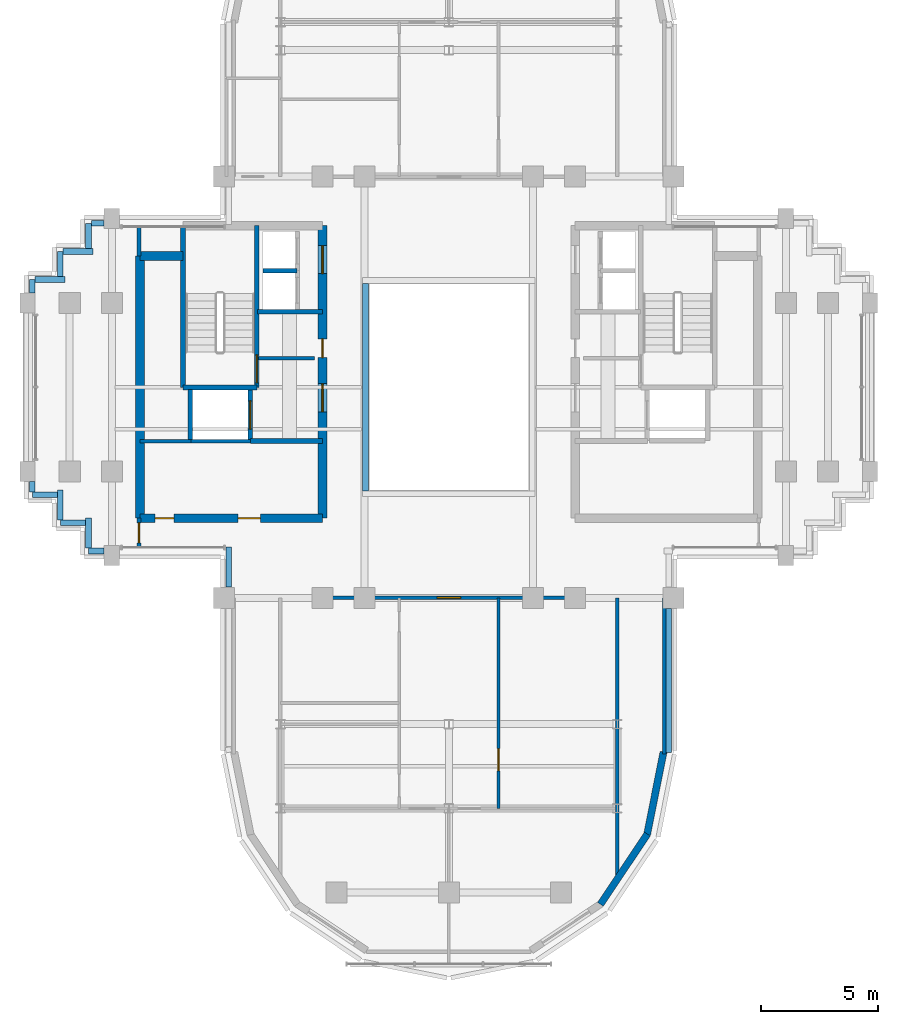
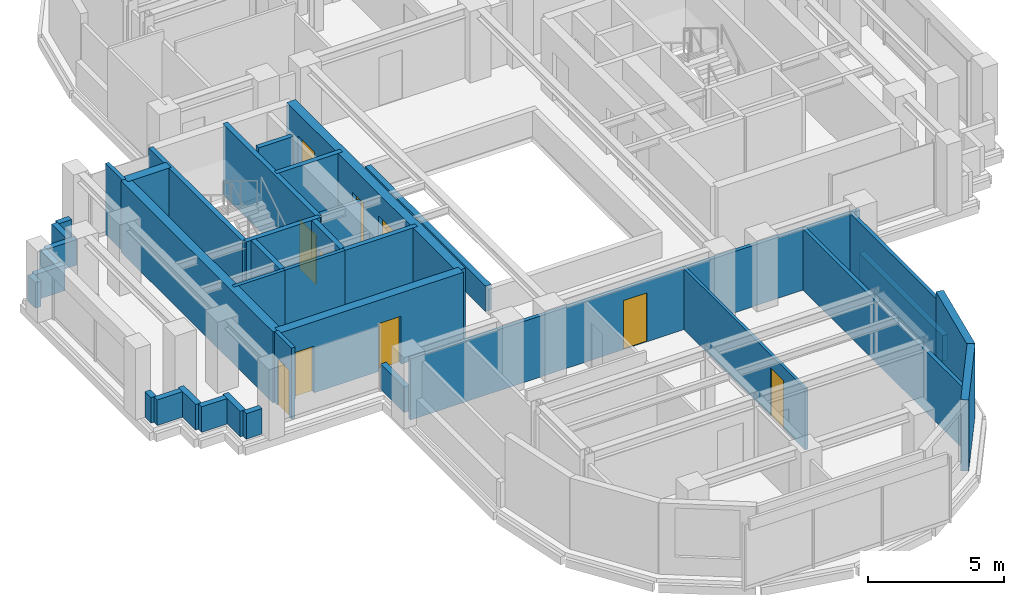
# One storey, part 6 of 11: 38 walls, 10 doors, 10 openings.
"""IFC4 building model written with IfcOpenShell, lengths in metres."""

from ifc_helpers import new_model, si_unit, direction, frame, frame_2d, origin, place, context, subcontext, project, spatial, rectangle, extrude, source, transform, mapped, material, layer, layer_set, type_object, element, fill, save


model = new_model("IFC4")

# Units and contexts
model_context = context("Model", 3, precision=1e-05, world=origin(), true_north=direction((0.0, 1.0)))
body_context = subcontext(model_context, "Body", "Model", "MODEL_VIEW")
ifc_project = project(units=[si_unit("LENGTHUNIT", "METRE"), si_unit("AREAUNIT", "SQUARE_METRE"), si_unit("VOLUMEUNIT", "CUBIC_METRE"), si_unit("PLANEANGLEUNIT", "RADIAN"), si_unit("MASSUNIT", "GRAM", prefix="KILO")], contexts=[model_context])

# Site, building, storey
site_placement = place(None, origin())
site = spatial("IfcSite", under=ifc_project, at=site_placement, CompositionType="ELEMENT")
building_placement = place(site_placement, origin())
building = spatial("IfcBuilding", under=site, at=building_placement, Name="Keilestroom Media Tower", CompositionType="ELEMENT")
storey_placement = place(building_placement, frame((0.0, 0.0, 208.0)))
storey = spatial("IfcBuildingStorey", under=building, at=storey_placement, Name="L57", CompositionType="ELEMENT", Elevation=208.0)

# Walls
ifc_material_1 = material(Name="Precast concrete C40/50", Category="concrete")
ifc_layer_1 = layer(ifc_material_1, 0.300048828125)
ifc_layer_set_1 = layer_set([ifc_layer_1], Name="Precast concrete C40/50")
wall_type_1 = type_object("IfcWallType", Name="Exterior-Masonry-Spandrel-Wall-300", PredefinedType="SOLIDWALL", material=ifc_layer_set_1)
for number, where, z_axis, x_axis, name in (
    (1, (6.47705078125, -22.097900390625, 0.0), (0.0, 0.0, 1.0), (0.555574187116, 0.831466970246, 0.0), "L57 Lobe Facet Precast Frame Wall 11"),
    (2, (8.470703125, -19.12451171875, 0.0), (0.0, 0.0, 1.0), (0.195114232679, 0.980780523974, 0.0), "L57 Lobe Facet Precast Frame Wall 12"),
):
    element("IfcWall", number, at=place(storey_placement, frame(where, z_axis=z_axis, x_axis=x_axis)), inside=storey, type_object=wall_type_1, Name=name, PredefinedType="SOLIDWALL", context=body_context, shape_type="SweptSolid", body=[
        extrude(rectangle(XDim=3.608642578125, YDim=0.300048828125, at=frame_2d((1.80419921875, 0.0))), origin(), (0.0, 0.0, 1.0), 3.199951171875),
    ])

# Wall, opening, door
ifc_material_2 = material(Name="Gypsum Plasterboard & Steel Stud", Category="steel")
ifc_layer_2 = layer(ifc_material_2, 0.1201171875)
ifc_layer_set_2 = layer_set([ifc_layer_2], Name="Gypsum Plasterboard & Steel Stud")
wall_type_2 = type_object("IfcWallType", Name="Interior-Partition-Wall-120", PredefinedType="PARTITIONING", material=ifc_layer_set_2)
wall_1_placement = place(storey_placement, frame((2.1201171875, -18.0, 0.0), z_axis=(0.0, 0.0, 1.0), x_axis=(0.0, 1.0, 0.0)))
wall_1 = element("IfcWall", 3, at=wall_1_placement, inside=storey, type_object=wall_type_2, Name="L57 Interior Wall WP-L57-FW-S-HE", PredefinedType="PARTITIONING", context=body_context, shape_type="SweptSolid", body=[
    extrude(rectangle(XDim=9.0, YDim=0.1201171875, at=frame_2d((4.5, 0.0))), origin(), (0.0, 0.0, 1.0), 2.75),
])
opening_1_placement = place(wall_1_placement, frame((1.60009765625, 0.0, 0.0)))
opening_1 = element("IfcOpeningElement", 4, at=opening_1_placement, cuts=wall_1, Name="Opening DI-03", PredefinedType="OPENING", context=body_context, shape_type="SweptSolid", body=[
    extrude(rectangle(XDim=0.949951171875, YDim=2.14990234375, at=frame_2d((0.47509765625, 1.074951171875))), frame((0.0, 0.070068359375, 0.0), z_axis=(0.0, -1.0, 0.0), x_axis=(1.0, 0.0, 0.0)), (0.0, 0.0, 1.0), 0.14013671875),
])
ifc_material_3 = material(Name="Lacquered European Oak Leaf", Category="wood")
door_type_1 = type_object("IfcDoorType", Name="Interior-Room-And-Suite-Door-DI-03", OperationType="NOTDEFINED", PredefinedType="DOOR", material=ifc_material_3)
shared_shape_1 = source(origin(), body_context, "Body", "SweptSolid", [
    extrude(rectangle(XDim=0.949951171875, YDim=2.14990234375, at=frame_2d((0.47509765625, 1.074951171875))), frame((0.0, 0.02490234375, 0.0), z_axis=(0.0, -1.0, 0.0), x_axis=(1.0, 0.0, 0.0)), (0.0, 0.0, 1.0), 0.050048828125),
])
door_1_placement = place(opening_1_placement, origin())
door_1 = element("IfcDoor", 5, at=door_1_placement, inside=storey, type_object=door_type_1, Name="L57 Interior Door DI-L57-DFKIT-S", OperationType="SINGLE_SWING_RIGHT", OverallHeight=2.14990234375, OverallWidth=0.949951171875, PredefinedType="DOOR", context=body_context, shape_type="MappedRepresentation", body=[
    mapped(shared_shape_1, transform((0.0, 0.0, 0.0), x_axis=(1.0, 0.0, 0.0), y_axis=(0.0, 1.0, 0.0), z_axis=(0.0, 0.0, 1.0), scale=1.0)),
])
fill(opening_1, door_1)

# Walls
ifc_layer_3 = layer(ifc_material_2, 0.14990234375)
ifc_layer_set_3 = layer_set([ifc_layer_3], Name="Gypsum Plasterboard & Steel Stud")
wall_type_3 = type_object("IfcWallType", Name="Interior-Partition-Wall-150", PredefinedType="PARTITIONING", material=ifc_layer_set_3)
wall_2_placement = place(storey_placement, frame((-8.139892578125, 1.239990234375, 0.0), z_axis=(0.0, 0.0, 1.0), x_axis=(1.0, 0.0, 0.0)))
element("IfcWall", 6, at=wall_2_placement, inside=storey, type_object=wall_type_3, Name="L57 Interior Wall WP-L57-FFW-TOP", PredefinedType="PARTITIONING", context=body_context, shape_type="SweptSolid", body=[
    extrude(rectangle(XDim=2.389892578125, YDim=0.14990234375, at=frame_2d((1.19482421875, 0.0))), origin(), (0.0, 0.0, 1.0), 2.300048828125),
])
wall_3_placement = place(storey_placement, frame((-13.199951171875, -2.320068359375, 0.0), z_axis=(0.0, 0.0, 1.0), x_axis=(1.0, 0.0, 0.0)))
element("IfcWall", 7, at=wall_3_placement, inside=storey, type_object=wall_type_3, Name="L57 Interior Wall WP-L57-RECLW-N", PredefinedType="PARTITIONING", context=body_context, shape_type="SweptSolid", body=[
    extrude(rectangle(XDim=2.179931640625, YDim=0.14990234375, at=frame_2d((1.08984375, 0.0))), origin(), (0.0, 0.0, 1.0), 3.199951171875),
])
wall_4_placement = place(storey_placement, frame((-11.0400390625, -2.320068359375, 0.0), z_axis=(0.0, 0.0, 1.0), x_axis=(1.0, 0.0, 0.0)))
element("IfcWall", 8, at=wall_4_placement, inside=storey, type_object=wall_type_3, Name="L57 Interior Wall WP-L57-RECMW-N", PredefinedType="PARTITIONING", context=body_context, shape_type="SweptSolid", body=[
    extrude(rectangle(XDim=2.56005859375, YDim=0.14990234375, at=frame_2d((1.280029296875, 0.0))), origin(), (0.0, 0.0, 1.0), 3.199951171875),
])

# Wall, opening, door
wall_5_placement = place(storey_placement, frame((-9.550048828125, -9.0, 0.0), z_axis=(0.0, 0.0, 1.0), x_axis=(1.0, 0.0, 0.0)))
wall_5 = element("IfcWall", 9, at=wall_5_placement, inside=storey, type_object=wall_type_3, Name="L57 Interior Wall WP-L57-FLT-S-ENTRY", PredefinedType="PARTITIONING", context=body_context, shape_type="SweptSolid", body=[
    extrude(rectangle(XDim=19.10009765625, YDim=0.14990234375, at=frame_2d((9.550048828125, 0.0))), origin(), (0.0, 0.0, 1.0), 2.75),
])
opening_2_placement = place(wall_5_placement, frame((9.050048828125, 0.0, 0.0)))
opening_2 = element("IfcOpeningElement", 10, at=opening_2_placement, cuts=wall_5, Name="Opening DI-01", PredefinedType="OPENING", context=body_context, shape_type="SweptSolid", body=[
    extrude(rectangle(XDim=1.0, YDim=2.199951171875, at=frame_2d((0.5, 1.10009765625))), frame((0.0, 0.0849609375, 0.0), z_axis=(0.0, -1.0, 0.0), x_axis=(1.0, 0.0, 0.0)), (0.0, 0.0, 1.0), 0.169921875),
])
ifc_material_4 = material(Name="Solid-Core Timber Acoustic Fire Leaf", Category="wood")
door_type_2 = type_object("IfcDoorType", Name="Interior-Apartment-Entrance-Door-DI-01", OperationType="NOTDEFINED", PredefinedType="DOOR", material=ifc_material_4)
shared_shape_2 = source(origin(), body_context, "Body", "SweptSolid", [
    extrude(rectangle(XDim=1.0, YDim=2.199951171875, at=frame_2d((0.5, 1.10009765625))), frame((0.0, 0.02490234375, 0.0), z_axis=(0.0, -1.0, 0.0), x_axis=(1.0, 0.0, 0.0)), (0.0, 0.0, 1.0), 0.050048828125),
])
door_2_placement = place(opening_2_placement, origin())
door_2 = element("IfcDoor", 11, at=door_2_placement, inside=storey, type_object=door_type_2, Name="L57 Interior Door DI-L57-DFENT-S", OperationType="SINGLE_SWING_LEFT", OverallHeight=2.199951171875, OverallWidth=1.0, PredefinedType="DOOR", context=body_context, shape_type="MappedRepresentation", body=[
    mapped(shared_shape_2, transform((0.0, 0.0, 0.0), x_axis=(1.0, 0.0, 0.0), y_axis=(0.0, 1.0, 0.0), z_axis=(0.0, 0.0, 1.0), scale=1.0)),
])
fill(opening_2, door_2)

# Walls
wall_6_placement = place(storey_placement, frame((9.199951171875, -15.679931640625, 0.0), z_axis=(0.0, 0.0, 1.0), x_axis=(0.0, 1.0, 0.0)))
element("IfcWall", 12, at=wall_6_placement, inside=storey, type_object=wall_type_3, Name="L57 Interior Wall WP-L57-SL-CHKE", PredefinedType="PARTITIONING", context=body_context, shape_type="SweptSolid", body=[
    extrude(rectangle(XDim=6.679931640625, YDim=0.14990234375, at=frame_2d((3.33984375, 0.0))), origin(), (0.0, 0.0, 1.0), 2.75),
])
wall_7_placement = place(storey_placement, frame((7.199951171875, -21.02001953125, 0.0), z_axis=(0.0, 0.0, 1.0), x_axis=(0.0, 1.0, 0.0)))
element("IfcWall", 13, at=wall_7_placement, inside=storey, type_object=wall_type_3, Name="L57 Interior Wall WP-L57-FW-S-VR", PredefinedType="PARTITIONING", context=body_context, shape_type="SweptSolid", body=[
    extrude(rectangle(XDim=12.02001953125, YDim=0.14990234375, at=frame_2d((6.010009765625, 0.0))), origin(), (0.0, 0.0, 1.0), 2.75),
])
wall_8_placement = place(storey_placement, frame((-13.239990234375, 5.60009765625, 0.0), z_axis=(0.0, 0.0, 1.0), x_axis=(0.0, 1.0, 0.0)))
element("IfcWall", 14, at=wall_8_placement, inside=storey, type_object=wall_type_3, Name="L57 Interior Wall WP-L57-RLIB-ENTN", PredefinedType="PARTITIONING", context=body_context, shape_type="SweptSolid", body=[
    extrude(rectangle(XDim=1.25, YDim=0.14990234375, at=frame_2d((0.625, 0.0))), origin(), (0.0, 0.0, 1.0), 3.199951171875),
])

# Wall, opening, door
wall_9_placement = place(storey_placement, frame((-13.239990234375, -6.85009765625, 0.0), z_axis=(0.0, 0.0, 1.0), x_axis=(0.0, 1.0, 0.0)))
wall_9 = element("IfcWall", 15, at=wall_9_placement, inside=storey, type_object=wall_type_3, Name="L57 Interior Wall WP-L57-RLIB-ENTS", PredefinedType="PARTITIONING", context=body_context, shape_type="SweptSolid", body=[
    extrude(rectangle(XDim=1.25, YDim=0.14990234375, at=frame_2d((0.625, 0.0))), origin(), (0.0, 0.0, 1.0), 3.199951171875),
])
opening_3_placement = place(wall_9_placement, frame((0.199951171875, 0.0, 0.0)))
opening_3 = element("IfcOpeningElement", 16, at=opening_3_placement, cuts=wall_9, Name="Opening DI-05", PredefinedType="OPENING", context=body_context, shape_type="SweptSolid", body=[
    extrude(rectangle(XDim=0.85009765625, YDim=2.10009765625, at=frame_2d((0.425048828125, 1.050048828125))), frame((0.0, 0.0849609375, 0.0), z_axis=(0.0, -1.0, 0.0), x_axis=(1.0, 0.0, 0.0)), (0.0, 0.0, 1.0), 0.169921875),
])
ifc_material_5 = material(Name="Moisture-Resistant Oak Leaf", Category="wood")
door_type_3 = type_object("IfcDoorType", Name="Interior-En-Suite-And-Cupboard-Door-DI-05", OperationType="NOTDEFINED", PredefinedType="DOOR", material=ifc_material_5)
shared_shape_3 = source(origin(), body_context, "Body", "SweptSolid", [
    extrude(rectangle(XDim=0.85009765625, YDim=2.10009765625, at=frame_2d((0.425048828125, 1.050048828125))), frame((0.0, 0.02490234375, 0.0), z_axis=(0.0, -1.0, 0.0), x_axis=(1.0, 0.0, 0.0)), (0.0, 0.0, 1.0), 0.050048828125),
])
door_3_placement = place(opening_3_placement, origin())
door_3 = element("IfcDoor", 17, at=door_3_placement, inside=storey, type_object=door_type_3, Name="L57 Interior Door DI-L57-DRLIB-W", OperationType="SINGLE_SWING_LEFT", OverallHeight=2.10009765625, OverallWidth=0.85009765625, PredefinedType="DOOR", context=body_context, shape_type="MappedRepresentation", body=[
    mapped(shared_shape_3, transform((0.0, 0.0, 0.0), x_axis=(1.0, 0.0, 0.0), y_axis=(0.0, 1.0, 0.0), z_axis=(0.0, 0.0, 1.0), scale=1.0)),
])
fill(opening_3, door_3)

# Wall
ifc_material_6 = material(Name="Concrete C55/67", Category="concrete")
ifc_layer_4 = layer(ifc_material_6, 0.3798828125)
ifc_layer_set_4 = layer_set([ifc_layer_4], Name="Concrete C55/67")
wall_type_4 = type_object("IfcWallType", Name="Reinforced-Concrete-Core-Shear-Wall-380", PredefinedType="SHEAR", material=ifc_layer_set_4)
wall_10_placement = place(storey_placement, frame((-13.199951171875, -5.60009765625, 0.0), z_axis=(0.0, 0.0, 1.0), x_axis=(0.0, 1.0, 0.0)))
element("IfcWall", 18, at=wall_10_placement, inside=storey, type_object=wall_type_4, Name="L57 Core Shear Wall WL-L57-CORE-W-OUT", PredefinedType="SHEAR", context=body_context, shape_type="SweptSolid", body=[
    extrude(rectangle(XDim=11.2001953125, YDim=0.3798828125, at=frame_2d((5.60009765625, 0.0))), origin(), (0.0, 0.0, 1.0), 3.199951171875),
])

# Wall, openings, doors
wall_11_placement = place(storey_placement, frame((-5.39990234375, -5.60009765625, 0.0), z_axis=(0.0, 0.0, 1.0), x_axis=(0.0, 1.0, 0.0)))
wall_11 = element("IfcWall", 19, at=wall_11_placement, inside=storey, type_object=wall_type_4, Name="L57 Core Shear Wall WL-L57-CORE-W-IN", PredefinedType="SHEAR", context=body_context, shape_type="SweptSolid", body=[
    extrude(rectangle(XDim=12.5, YDim=0.3798828125, at=frame_2d((6.25, 0.0))), origin(), (0.0, 0.0, 1.0), 3.199951171875),
])
opening_4_placement = place(wall_11_placement, frame((4.550048828125, 0.0, 0.0)))
opening_4 = element("IfcOpeningElement", 20, at=opening_4_placement, cuts=wall_11, Name="Opening DI-02", PredefinedType="OPENING", context=body_context, shape_type="SweptSolid", body=[
    extrude(rectangle(XDim=1.199951171875, YDim=2.199951171875, at=frame_2d((0.60009765625, 1.10009765625))), frame((0.0, 0.199951171875, 0.0), z_axis=(0.0, -1.0, 0.0), x_axis=(1.0, 0.0, 0.0)), (0.0, 0.0, 1.0), 0.39990234375),
])
opening_5_placement = place(wall_11_placement, frame((10.449951171875, 0.0, 0.0)))
opening_5 = element("IfcOpeningElement", 21, at=opening_5_placement, cuts=wall_11, Name="Opening DI-02", PredefinedType="OPENING", context=body_context, shape_type="SweptSolid", body=[
    extrude(rectangle(XDim=1.199951171875, YDim=2.199951171875, at=frame_2d((0.60009765625, 1.10009765625))), frame((0.0, 0.199951171875, 0.0), z_axis=(0.0, -1.0, 0.0), x_axis=(1.0, 0.0, 0.0)), (0.0, 0.0, 1.0), 0.39990234375),
])
opening_6_placement = place(wall_11_placement, frame((6.860107421875, 0.0, 0.0)))
opening_6 = element("IfcOpeningElement", 22, at=opening_6_placement, cuts=wall_11, Name="Opening DI-06", PredefinedType="OPENING", context=body_context, shape_type="SweptSolid", body=[
    extrude(rectangle(XDim=0.800048828125, YDim=2.10009765625, at=frame_2d((0.39990234375, 1.050048828125))), frame((0.0, 0.199951171875, 0.0), z_axis=(0.0, -1.0, 0.0), x_axis=(1.0, 0.0, 0.0)), (0.0, 0.0, 1.0), 0.39990234375),
])
ifc_material_7 = material(Name="Powder-Coated Steel Fire Leaf", Category="steel")
door_type_4 = type_object("IfcDoorType", Name="Interior-Compartment-Fire-Door-DI-02", OperationType="NOTDEFINED", PredefinedType="DOOR", material=ifc_material_7)
shared_shape_4 = source(origin(), body_context, "Body", "SweptSolid", [
    extrude(rectangle(XDim=1.199951171875, YDim=2.199951171875, at=frame_2d((0.60009765625, 1.10009765625))), frame((0.0, 0.02490234375, 0.0), z_axis=(0.0, -1.0, 0.0), x_axis=(1.0, 0.0, 0.0)), (0.0, 0.0, 1.0), 0.050048828125),
])
door_4_placement = place(opening_4_placement, origin())
door_4 = element("IfcDoor", 23, at=door_4_placement, inside=storey, type_object=door_type_4, Name="L57 W Firefighting Lobby Door", OperationType="SINGLE_SWING_RIGHT", OverallHeight=2.199951171875, OverallWidth=1.199951171875, PredefinedType="DOOR", context=body_context, shape_type="MappedRepresentation", body=[
    mapped(shared_shape_4, transform((0.0, 0.0, 0.0), x_axis=(1.0, 0.0, 0.0), y_axis=(0.0, 1.0, 0.0), z_axis=(0.0, 0.0, 1.0), scale=1.0)),
])
fill(opening_4, door_4)
door_5_placement = place(opening_5_placement, origin())
door_5 = element("IfcDoor", 24, at=door_5_placement, inside=storey, type_object=door_type_4, Name="L57 W High-Rise Lift Lobby Door", OperationType="SINGLE_SWING_LEFT", OverallHeight=2.199951171875, OverallWidth=1.199951171875, PredefinedType="DOOR", context=body_context, shape_type="MappedRepresentation", body=[
    mapped(shared_shape_4, transform((0.0, 0.0, 0.0), x_axis=(1.0, 0.0, 0.0), y_axis=(0.0, 1.0, 0.0), z_axis=(0.0, 0.0, 1.0), scale=1.0)),
])
fill(opening_5, door_5)
ifc_material_8 = material(Name="Powder-Coated Steel Service Leaf", Category="steel")
door_type_5 = type_object("IfcDoorType", Name="Interior-Riser-Access-Door-DI-06", OperationType="NOTDEFINED", PredefinedType="DOOR", material=ifc_material_8)
shared_shape_5 = source(origin(), body_context, "Body", "SweptSolid", [
    extrude(rectangle(XDim=0.800048828125, YDim=2.10009765625, at=frame_2d((0.39990234375, 1.050048828125))), frame((0.0, 0.02490234375, 0.0), z_axis=(0.0, -1.0, 0.0), x_axis=(1.0, 0.0, 0.0)), (0.0, 0.0, 1.0), 0.050048828125),
])
door_6_placement = place(opening_6_placement, origin())
door_6 = element("IfcDoor", 25, at=door_6_placement, inside=storey, type_object=door_type_5, Name="L57 West Core Switchroom Door", OperationType="SINGLE_SWING_LEFT", OverallHeight=2.10009765625, OverallWidth=0.800048828125, PredefinedType="DOOR", context=body_context, shape_type="MappedRepresentation", body=[
    mapped(shared_shape_5, transform((0.0, 0.0, 0.0), x_axis=(1.0, 0.0, 0.0), y_axis=(0.0, 1.0, 0.0), z_axis=(0.0, 0.0, 1.0), scale=1.0)),
])
fill(opening_6, door_6)

# Wall
wall_12_placement = place(storey_placement, frame((-13.199951171875, 5.60009765625, 0.0), z_axis=(0.0, 0.0, 1.0), x_axis=(1.0, 0.0, 0.0)))
element("IfcWall", 26, at=wall_12_placement, inside=storey, type_object=wall_type_4, Name="L57 Core Shear Wall WL-L57-CNW-N", PredefinedType="SHEAR", context=body_context, shape_type="SweptSolid", body=[
    extrude(rectangle(XDim=1.843994140625, YDim=0.3798828125, at=frame_2d((0.921875, 0.0))), origin(), (0.0, 0.0, 1.0), 3.199951171875),
])

# Wall, openings, doors
wall_13_placement = place(storey_placement, frame((-13.199951171875, -5.60009765625, 0.0), z_axis=(0.0, 0.0, 1.0), x_axis=(1.0, 0.0, 0.0)))
wall_13 = element("IfcWall", 27, at=wall_13_placement, inside=storey, type_object=wall_type_4, Name="L57 Core Shear Wall WL-L57-CORE-W-S", PredefinedType="SHEAR", context=body_context, shape_type="SweptSolid", body=[
    extrude(rectangle(XDim=7.800048828125, YDim=0.3798828125, at=frame_2d((3.89990234375, 0.0))), origin(), (0.0, 0.0, 1.0), 3.199951171875),
])
opening_7_placement = place(wall_13_placement, frame((0.64990234375, 0.0, 0.0)))
opening_7 = element("IfcOpeningElement", 28, at=opening_7_placement, cuts=wall_13, Name="Opening DI-06", PredefinedType="OPENING", context=body_context, shape_type="SweptSolid", body=[
    extrude(rectangle(XDim=0.800048828125, YDim=2.10009765625, at=frame_2d((0.39990234375, 1.050048828125))), frame((0.0, 0.199951171875, 0.0), z_axis=(0.0, -1.0, 0.0), x_axis=(1.0, 0.0, 0.0)), (0.0, 0.0, 1.0), 0.39990234375),
])
opening_8_placement = place(wall_13_placement, frame((4.199951171875, 0.0, 0.0)))
opening_8 = element("IfcOpeningElement", 29, at=opening_8_placement, cuts=wall_13, Name="Opening DI-03", PredefinedType="OPENING", context=body_context, shape_type="SweptSolid", body=[
    extrude(rectangle(XDim=0.949951171875, YDim=2.14990234375, at=frame_2d((0.47509765625, 1.074951171875))), frame((0.0, 0.199951171875, 0.0), z_axis=(0.0, -1.0, 0.0), x_axis=(1.0, 0.0, 0.0)), (0.0, 0.0, 1.0), 0.39990234375),
])
door_7_placement = place(opening_7_placement, origin())
door_7 = element("IfcDoor", 30, at=door_7_placement, inside=storey, type_object=door_type_5, Name="L57 Reclaimed West Core Room Door", OperationType="SINGLE_SWING_LEFT", OverallHeight=2.10009765625, OverallWidth=0.800048828125, PredefinedType="DOOR", context=body_context, shape_type="MappedRepresentation", body=[
    mapped(shared_shape_5, transform((0.0, 0.0, 0.0), x_axis=(1.0, 0.0, 0.0), y_axis=(0.0, 1.0, 0.0), z_axis=(0.0, 0.0, 1.0), scale=1.0)),
])
fill(opening_7, door_7)
door_8_placement = place(opening_8_placement, origin())
door_8 = element("IfcDoor", 31, at=door_8_placement, inside=storey, type_object=door_type_1, Name="L57 Reclaimed Mid West Room Door", OperationType="SINGLE_SWING_LEFT", OverallHeight=2.14990234375, OverallWidth=0.949951171875, PredefinedType="DOOR", context=body_context, shape_type="MappedRepresentation", body=[
    mapped(shared_shape_1, transform((0.0, 0.0, 0.0), x_axis=(1.0, 0.0, 0.0), y_axis=(0.0, 1.0, 0.0), z_axis=(0.0, 0.0, 1.0), scale=1.0)),
])
fill(opening_8, door_8)

# Walls
ifc_material_9 = material(Name="Concrete C50/60", Category="concrete")
ifc_layer_5 = layer(ifc_material_9, 0.199951171875)
ifc_layer_set_5 = layer_set([ifc_layer_5], Name="Concrete C50/60")
wall_type_5 = type_object("IfcWallType", Name="Reinforced-Concrete-Shaft-Wall-200", PredefinedType="SOLIDWALL", material=ifc_layer_set_5)
wall_14_placement = place(storey_placement, frame((-8.179931640625, 3.219970703125, 0.0), z_axis=(0.0, 0.0, 1.0), x_axis=(1.0, 0.0, 0.0)))
element("IfcWall", 32, at=wall_14_placement, inside=storey, type_object=wall_type_5, Name="L57 Core Shear Wall WL-L57-CORE-W-FFN", PredefinedType="SOLIDWALL", context=body_context, shape_type="SweptSolid", body=[
    extrude(rectangle(XDim=2.780029296875, YDim=0.199951171875, at=frame_2d((1.39013671875, 0.0))), origin(), (0.0, 0.0, 1.0), 3.199951171875),
])
wall_15_placement = place(storey_placement, frame((-8.47998046875, -2.300048828125, 0.0), z_axis=(0.0, 0.0, 1.0), x_axis=(1.0, 0.0, 0.0)))
element("IfcWall", 33, at=wall_15_placement, inside=storey, type_object=wall_type_5, Name="L57 Core Shear Wall WL-L57-CORE-W-FFS", PredefinedType="SOLIDWALL", context=body_context, shape_type="SweptSolid", body=[
    extrude(rectangle(XDim=3.080078125, YDim=0.199951171875, at=frame_2d((1.5400390625, 0.0))), origin(), (0.0, 0.0, 1.0), 3.199951171875),
])

# Wall, opening, door
wall_16_placement = place(storey_placement, frame((-8.2041015625, -0.01611328125, 0.0), z_axis=(0.0, 0.0, 1.0), x_axis=(0.0, 1.0, 0.0)))
wall_16 = element("IfcWall", 34, at=wall_16_placement, inside=storey, type_object=wall_type_5, Name="L57 Core Shear Wall WL-L57-STW-W-NEAR", PredefinedType="SOLIDWALL", context=body_context, shape_type="SweptSolid", body=[
    extrude(rectangle(XDim=6.916015625, YDim=0.199951171875, at=frame_2d((3.4580078125, 0.0))), origin(), (0.0, 0.0, 1.0), 3.199951171875),
])
opening_9_placement = place(wall_16_placement, frame((0.199951171875, 0.0, 0.0)))
opening_9 = element("IfcOpeningElement", 35, at=opening_9_placement, cuts=wall_16, Name="Opening DI-01S", PredefinedType="OPENING", context=body_context, shape_type="SweptSolid", body=[
    extrude(rectangle(XDim=1.199951171875, YDim=2.199951171875, at=frame_2d((0.60009765625, 1.10009765625))), frame((0.0, 0.10986328125, 0.0), z_axis=(0.0, -1.0, 0.0), x_axis=(1.0, 0.0, 0.0)), (0.0, 0.0, 1.0), 0.219970703125),
])
door_type_6 = type_object("IfcDoorType", Name="Interior-Stair-And-Core-Fire-Door-DI-01", OperationType="NOTDEFINED", PredefinedType="DOOR", material=ifc_material_7)
door_9_placement = place(opening_9_placement, origin())
door_9 = element("IfcDoor", 36, at=door_9_placement, inside=storey, type_object=door_type_6, Name="L57 Escape Stair ST-1 Fire Door", OperationType="SINGLE_SWING_LEFT", OverallHeight=2.199951171875, OverallWidth=1.199951171875, PredefinedType="DOOR", context=body_context, shape_type="MappedRepresentation", body=[
    mapped(shared_shape_4, transform((0.0, 0.0, 0.0), x_axis=(1.0, 0.0, 0.0), y_axis=(0.0, 1.0, 0.0), z_axis=(0.0, 0.0, 1.0), scale=1.0)),
])
fill(opening_9, door_9)

# Walls
wall_17_placement = place(storey_placement, frame((-11.35595703125, -0.01611328125, 0.0), z_axis=(0.0, 0.0, 1.0), x_axis=(0.0, 1.0, 0.0)))
element("IfcWall", 37, at=wall_17_placement, inside=storey, type_object=wall_type_5, Name="L57 Core Shear Wall WL-L57-STW-W-FAR", PredefinedType="SOLIDWALL", context=body_context, shape_type="SweptSolid", body=[
    extrude(rectangle(XDim=6.916015625, YDim=0.199951171875, at=frame_2d((3.4580078125, 0.0))), origin(), (0.0, 0.0, 1.0), 3.199951171875),
])
wall_18_placement = place(storey_placement, frame((-11.35595703125, -0.01611328125, 0.0), z_axis=(0.0, 0.0, 1.0), x_axis=(1.0, 0.0, 0.0)))
element("IfcWall", 38, at=wall_18_placement, inside=storey, type_object=wall_type_5, Name="L57 Core Shear Wall WL-L57-STW-W-S", PredefinedType="SOLIDWALL", context=body_context, shape_type="SweptSolid", body=[
    extrude(rectangle(XDim=3.15185546875, YDim=0.199951171875, at=frame_2d((1.575927734375, 0.0))), origin(), (0.0, 0.0, 1.0), 3.199951171875),
])
wall_19_placement = place(storey_placement, frame((-11.050048828125, -2.280029296875, 0.0), z_axis=(0.0, 0.0, 1.0), x_axis=(0.0, 1.0, 0.0)))
element("IfcWall", 39, at=wall_19_placement, inside=storey, type_object=wall_type_5, Name="L57 Core Shear Wall WL-L57-LSH-FFL-1-W", PredefinedType="SOLIDWALL", context=body_context, shape_type="SweptSolid", body=[
    extrude(rectangle(XDim=2.179931640625, YDim=0.199951171875, at=frame_2d((1.08984375, 0.0))), origin(), (0.0, 0.0, 1.0), 3.199951171875),
])

# Wall, opening, door
wall_20_placement = place(storey_placement, frame((-8.47998046875, -2.280029296875, 0.0), z_axis=(0.0, 0.0, 1.0), x_axis=(0.0, 1.0, 0.0)))
wall_20 = element("IfcWall", 40, at=wall_20_placement, inside=storey, type_object=wall_type_5, Name="L57 Core Shear Wall WL-L57-LSH-FFL-1-E", PredefinedType="SOLIDWALL", context=body_context, shape_type="SweptSolid", body=[
    extrude(rectangle(XDim=2.179931640625, YDim=0.199951171875, at=frame_2d((1.08984375, 0.0))), origin(), (0.0, 0.0, 1.0), 3.199951171875),
])
opening_10_placement = place(wall_20_placement, frame((0.489990234375, 0.0, 0.0)))
opening_10 = element("IfcOpeningElement", 41, at=opening_10_placement, cuts=wall_20, Name="Opening LD-02", PredefinedType="OPENING", context=body_context, shape_type="SweptSolid", body=[
    extrude(rectangle(XDim=1.199951171875, YDim=2.199951171875, at=frame_2d((0.60009765625, 1.10009765625))), frame((0.0, 0.10986328125, 0.0), z_axis=(0.0, -1.0, 0.0), x_axis=(1.0, 0.0, 0.0)), (0.0, 0.0, 1.0), 0.219970703125),
])
ifc_material_10 = material(Name="Brushed Stainless Steel Sliding Leaf", Category="steel")
door_type_7 = type_object("IfcDoorType", Name="Lift-Landing-Sliding-Door-LD-02", OperationType="SLIDING_TO_RIGHT", PredefinedType="DOOR", material=ifc_material_10)
door_10_placement = place(opening_10_placement, origin())
door_10 = element("IfcDoor", 42, at=door_10_placement, inside=storey, type_object=door_type_7, Name="L57 Lift FFL-1 Landing Sliding Door", OperationType="SLIDING_TO_RIGHT", OverallHeight=2.199951171875, OverallWidth=1.199951171875, PredefinedType="DOOR", context=body_context, shape_type="MappedRepresentation", body=[
    mapped(shared_shape_4, transform((0.0, 0.0, 0.0), x_axis=(1.0, 0.0, 0.0), y_axis=(0.0, 1.0, 0.0), z_axis=(0.0, 0.0, 1.0), scale=1.0)),
])
fill(opening_10, door_10)

# Walls
wall_21_placement = place(storey_placement, frame((-7.949951171875, 4.97998046875, 0.0), z_axis=(0.0, 0.0, 1.0), x_axis=(1.0, 0.0, 0.0)))
element("IfcWall", 43, at=wall_21_placement, inside=storey, type_object=wall_type_5, Name="L57 Core Shear Wall WL-L57-LSH-PL-H1-N", PredefinedType="SOLIDWALL", context=body_context, shape_type="SweptSolid", body=[
    extrude(rectangle(XDim=1.469970703125, YDim=0.199951171875, at=frame_2d((0.73486328125, 0.0))), origin(), (0.0, 0.0, 1.0), 3.199951171875),
])
ifc_layer_6 = layer(ifc_material_1, 0.239990234375)
ifc_layer_set_6 = layer_set([ifc_layer_6], Name="Precast concrete C40/50")
wall_type_6 = type_object("IfcWallType", Name="Roof-And-Terrace-Parapet-Wall-240", PredefinedType="PARAPET", material=ifc_layer_set_6)
wall_22_placement = place(storey_placement, frame((9.39990234375, -9.452880859375, 0.0), z_axis=(0.0, 0.0, 1.0), x_axis=(0.0, -1.0, 0.0)))
element("IfcWall", 44, at=wall_22_placement, inside=storey, type_object=wall_type_6, Name="L57 Perimeter Edge Parapet Wall 08", PredefinedType="PARAPET", context=body_context, shape_type="SweptSolid", body=[
    extrude(rectangle(XDim=6.14990234375, YDim=0.239990234375, at=frame_2d((3.074951171875, 0.0))), origin(), (0.0, 0.0, 1.0), 1.14990234375),
])
wall_23_placement = place(storey_placement, frame((-9.39990234375, -8.547119140625, 0.0), z_axis=(0.0, 0.0, 1.0), x_axis=(0.0, 1.0, 0.0)))
element("IfcWall", 45, at=wall_23_placement, inside=storey, type_object=wall_type_6, Name="L57 Perimeter Edge Parapet Wall 11", PredefinedType="PARAPET", context=body_context, shape_type="SweptSolid", body=[
    extrude(rectangle(XDim=1.728271484375, YDim=0.239990234375, at=frame_2d((0.8642578125, 0.0))), origin(), (0.0, 0.0, 1.0), 1.14990234375),
])
wall_24_placement = place(storey_placement, frame((-14.72802734375, -7.0, 0.0), z_axis=(0.0, 0.0, 1.0), x_axis=(-1.0, 0.0, 0.0)))
element("IfcWall", 46, at=wall_24_placement, inside=storey, type_object=wall_type_6, Name="L57 Perimeter Edge Parapet Wall 12", PredefinedType="PARAPET", context=body_context, shape_type="SweptSolid", body=[
    extrude(rectangle(XDim=0.671875, YDim=0.239990234375, at=frame_2d((0.3359375, 0.0))), origin(), (0.0, 0.0, 1.0), 1.14990234375),
])
wall_25_placement = place(storey_placement, frame((-15.39990234375, -6.876953125, 0.0), z_axis=(0.0, 0.0, 1.0), x_axis=(0.0, 1.0, 0.0)))
element("IfcWall", 47, at=wall_25_placement, inside=storey, type_object=wall_type_6, Name="L57 Perimeter Edge Parapet Wall 13", PredefinedType="PARAPET", context=body_context, shape_type="SweptSolid", body=[
    extrude(rectangle(XDim=1.27685546875, YDim=0.239990234375, at=frame_2d((0.638427734375, 0.0))), origin(), (0.0, 0.0, 1.0), 1.14990234375),
])
wall_26_placement = place(storey_placement, frame((-15.52294921875, -5.800048828125, 0.0), z_axis=(0.0, 0.0, 1.0), x_axis=(-1.0, 0.0, 0.0)))
element("IfcWall", 48, at=wall_26_placement, inside=storey, type_object=wall_type_6, Name="L57 Perimeter Edge Parapet Wall 14", PredefinedType="PARAPET", context=body_context, shape_type="SweptSolid", body=[
    extrude(rectangle(XDim=1.0771484375, YDim=0.239990234375, at=frame_2d((0.53857421875, 0.0))), origin(), (0.0, 0.0, 1.0), 1.14990234375),
])
wall_27_placement = place(storey_placement, frame((-16.60009765625, -5.677001953125, 0.0), z_axis=(0.0, 0.0, 1.0), x_axis=(0.0, 1.0, 0.0)))
element("IfcWall", 49, at=wall_27_placement, inside=storey, type_object=wall_type_6, Name="L57 Perimeter Edge Parapet Wall 15", PredefinedType="PARAPET", context=body_context, shape_type="SweptSolid", body=[
    extrude(rectangle(XDim=1.277099609375, YDim=0.239990234375, at=frame_2d((0.638671875, 0.0))), origin(), (0.0, 0.0, 1.0), 1.14990234375),
])
wall_28_placement = place(storey_placement, frame((-16.722900390625, -4.60009765625, 0.0), z_axis=(0.0, 0.0, 1.0), x_axis=(-1.0, 0.0, 0.0)))
element("IfcWall", 50, at=wall_28_placement, inside=storey, type_object=wall_type_6, Name="L57 Perimeter Edge Parapet Wall 16", PredefinedType="PARAPET", context=body_context, shape_type="SweptSolid", body=[
    extrude(rectangle(XDim=1.0771484375, YDim=0.239990234375, at=frame_2d((0.53857421875, 0.0))), origin(), (0.0, 0.0, 1.0), 1.14990234375),
])
wall_29_placement = place(storey_placement, frame((-17.800048828125, -4.47705078125, 0.0), z_axis=(0.0, 0.0, 1.0), x_axis=(0.0, 1.0, 0.0)))
element("IfcWall", 51, at=wall_29_placement, inside=storey, type_object=wall_type_6, Name="L57 Perimeter Edge Parapet Wall 17", PredefinedType="PARAPET", context=body_context, shape_type="SweptSolid", body=[
    extrude(rectangle(XDim=0.448974609375, YDim=0.239990234375, at=frame_2d((0.224609375, 0.0))), origin(), (0.0, 0.0, 1.0), 1.14990234375),
])
wall_30_placement = place(storey_placement, frame((-17.800048828125, 4.028076171875, 0.0), z_axis=(0.0, 0.0, 1.0), x_axis=(0.0, 1.0, 0.0)))
element("IfcWall", 52, at=wall_30_placement, inside=storey, type_object=wall_type_6, Name="L57 Perimeter Edge Parapet Wall 18", PredefinedType="PARAPET", context=body_context, shape_type="SweptSolid", body=[
    extrude(rectangle(XDim=0.572021484375, YDim=0.239990234375, at=frame_2d((0.2861328125, 0.0))), origin(), (0.0, 0.0, 1.0), 1.14990234375),
])
wall_31_placement = place(storey_placement, frame((-17.677001953125, 4.60009765625, 0.0), z_axis=(0.0, 0.0, 1.0), x_axis=(1.0, 0.0, 0.0)))
element("IfcWall", 53, at=wall_31_placement, inside=storey, type_object=wall_type_6, Name="L57 Perimeter Edge Parapet Wall 19", PredefinedType="PARAPET", context=body_context, shape_type="SweptSolid", body=[
    extrude(rectangle(XDim=1.277099609375, YDim=0.239990234375, at=frame_2d((0.638671875, 0.0))), origin(), (0.0, 0.0, 1.0), 1.14990234375),
])
wall_32_placement = place(storey_placement, frame((-16.60009765625, 4.722900390625, 0.0), z_axis=(0.0, 0.0, 1.0), x_axis=(0.0, 1.0, 0.0)))
element("IfcWall", 54, at=wall_32_placement, inside=storey, type_object=wall_type_6, Name="L57 Perimeter Edge Parapet Wall 20", PredefinedType="PARAPET", context=body_context, shape_type="SweptSolid", body=[
    extrude(rectangle(XDim=1.0771484375, YDim=0.239990234375, at=frame_2d((0.53857421875, 0.0))), origin(), (0.0, 0.0, 1.0), 1.14990234375),
])
wall_33_placement = place(storey_placement, frame((-16.47705078125, 5.800048828125, 0.0), z_axis=(0.0, 0.0, 1.0), x_axis=(1.0, 0.0, 0.0)))
element("IfcWall", 55, at=wall_33_placement, inside=storey, type_object=wall_type_6, Name="L57 Perimeter Edge Parapet Wall 21", PredefinedType="PARAPET", context=body_context, shape_type="SweptSolid", body=[
    extrude(rectangle(XDim=1.277099609375, YDim=0.239990234375, at=frame_2d((0.638671875, 0.0))), origin(), (0.0, 0.0, 1.0), 1.14990234375),
])
wall_34_placement = place(storey_placement, frame((-15.39990234375, 5.923095703125, 0.0), z_axis=(0.0, 0.0, 1.0), x_axis=(0.0, 1.0, 0.0)))
element("IfcWall", 56, at=wall_34_placement, inside=storey, type_object=wall_type_6, Name="L57 Perimeter Edge Parapet Wall 22", PredefinedType="PARAPET", context=body_context, shape_type="SweptSolid", body=[
    extrude(rectangle(XDim=1.076904296875, YDim=0.239990234375, at=frame_2d((0.53857421875, 0.0))), origin(), (0.0, 0.0, 1.0), 1.14990234375),
])
wall_35_placement = place(storey_placement, frame((-15.277099609375, 7.0, 0.0), z_axis=(0.0, 0.0, 1.0), x_axis=(1.0, 0.0, 0.0)))
element("IfcWall", 57, at=wall_35_placement, inside=storey, type_object=wall_type_6, Name="L57 Perimeter Edge Parapet Wall 23", PredefinedType="PARAPET", context=body_context, shape_type="SweptSolid", body=[
    extrude(rectangle(XDim=0.549072265625, YDim=0.239990234375, at=frame_2d((0.2744140625, 0.0))), origin(), (0.0, 0.0, 1.0), 1.14990234375),
])
wall_36_placement = place(storey_placement, frame((-3.56005859375, -4.43505859375, 0.0), z_axis=(0.0, 0.0, 1.0), x_axis=(0.0, 1.0, 0.0)))
element("IfcWall", 58, at=wall_36_placement, inside=storey, type_object=wall_type_6, Name="L57 Central Atrium Guard Parapet W", PredefinedType="PARAPET", context=body_context, shape_type="SweptSolid", body=[
    extrude(rectangle(XDim=8.8701171875, YDim=0.239990234375, at=frame_2d((4.43505859375, 0.0))), origin(), (0.0, 0.0, 1.0), 1.14990234375),
])

save(model, "model.ifc")
